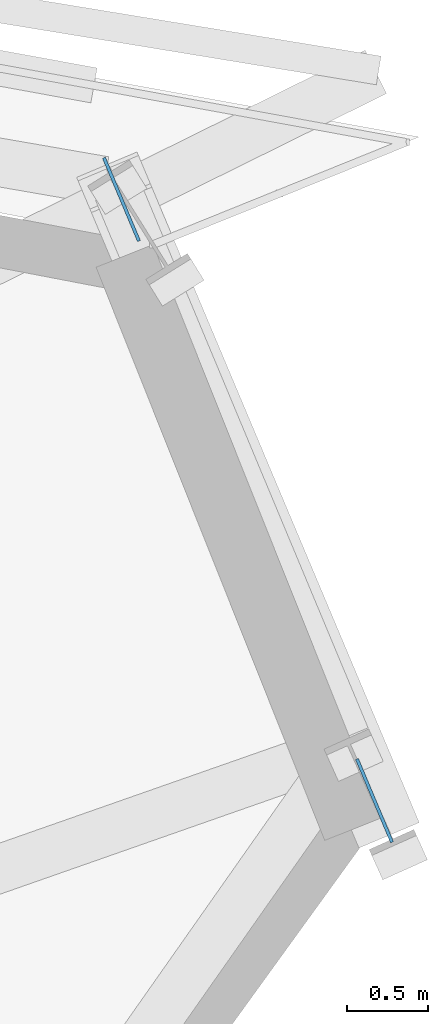
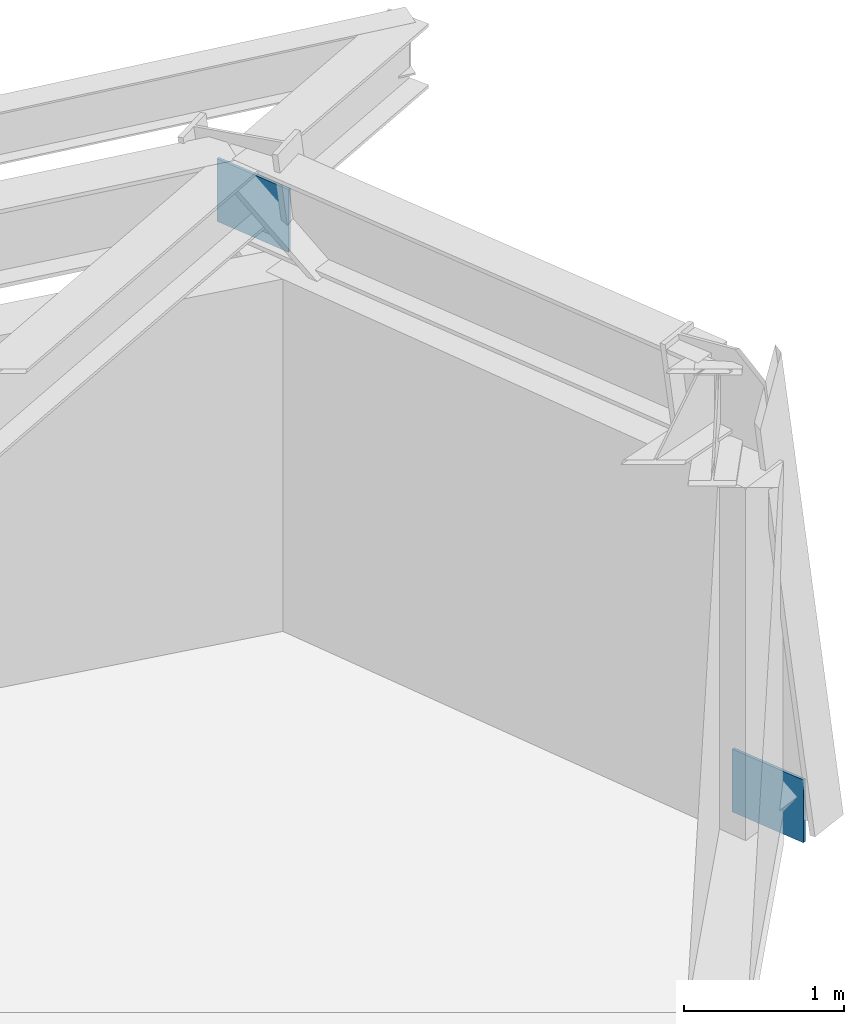
# One storey, part 11 of 18: 2 plates.
"""IFC4 building model written with IfcOpenShell, lengths in metres."""

from ifc_helpers import new_model, si_unit, direction, frame, origin, origin_2d, place, context, subcontext, project, spatial, rectangle, extrude, source, transform, mapped, material, type_object, element, save


model = new_model("IFC4")

# Units and contexts
model_context = context("Model", 3, precision=1e-05, world=origin(), true_north=direction((0.0, 1.0)))
body_context = subcontext(model_context, "Body", "Model", "MODEL_VIEW")
ifc_project = project(units=[si_unit("LENGTHUNIT", "METRE"), si_unit("AREAUNIT", "SQUARE_METRE"), si_unit("VOLUMEUNIT", "CUBIC_METRE"), si_unit("PLANEANGLEUNIT", "RADIAN"), si_unit("MASSUNIT", "GRAM", prefix="KILO")], contexts=[model_context])

# Site, building, storey
site_placement = place(None, origin())
site = spatial("IfcSite", under=ifc_project, at=site_placement, CompositionType="ELEMENT")
building_placement = place(site_placement, origin())
building = spatial("IfcBuilding", under=site, at=building_placement, Name="Olszyna Solenne Hotel", CompositionType="ELEMENT")
storey_placement = place(building_placement, frame((0.0, 0.0, 123.449951171875)))
storey = spatial("IfcBuildingStorey", under=building, at=storey_placement, Name="L32", CompositionType="ELEMENT", Elevation=123.449951171875)

# Plates
ifc_material = material(Name="Steel S355J2", Category="steel")
plate_type = type_object("IfcPlateType", Name="GP-ND2", PredefinedType="USERDEFINED", material=ifc_material)
shared_shape = source(origin(), body_context, "Body", "SweptSolid", [
    extrude(rectangle(XDim=0.56005859375, YDim=0.02001953125, at=origin_2d()), origin(), (0.0, 0.0, 1.0), 0.47998046875),
])
for number, where, z_axis, x_axis, name in (
    (1, (66.3193359375, 36.13623046875, -0.150146484375), (0.0, 0.0, 1.0), (-0.387998219728, 0.921660122544, 0.0), "Brace end connection gusset plate GP-ND2 EP-BR-L32-1-1"),
    (2, (64.75, 39.865234375, 2.650390625), (0.0, 0.0, 1.0), (-0.387998219728, 0.921660122544, 0.0), "Brace end connection gusset plate GP-ND2 EP-BR-L32-1-2"),
):
    element("IfcPlate", number, at=place(storey_placement, frame(where, z_axis=z_axis, x_axis=x_axis)), inside=storey, type_object=plate_type, Name=name, ObjectType="GUSSET_PLATE", PredefinedType="USERDEFINED", context=body_context, shape_type="MappedRepresentation", body=[
        mapped(shared_shape, transform((0.0, 0.0, 0.0), x_axis=(1.0, 0.0, 0.0), y_axis=(0.0, 1.0, 0.0), z_axis=(0.0, 0.0, 1.0), scale=1.0)),
    ])

save(model, "model.ifc")
